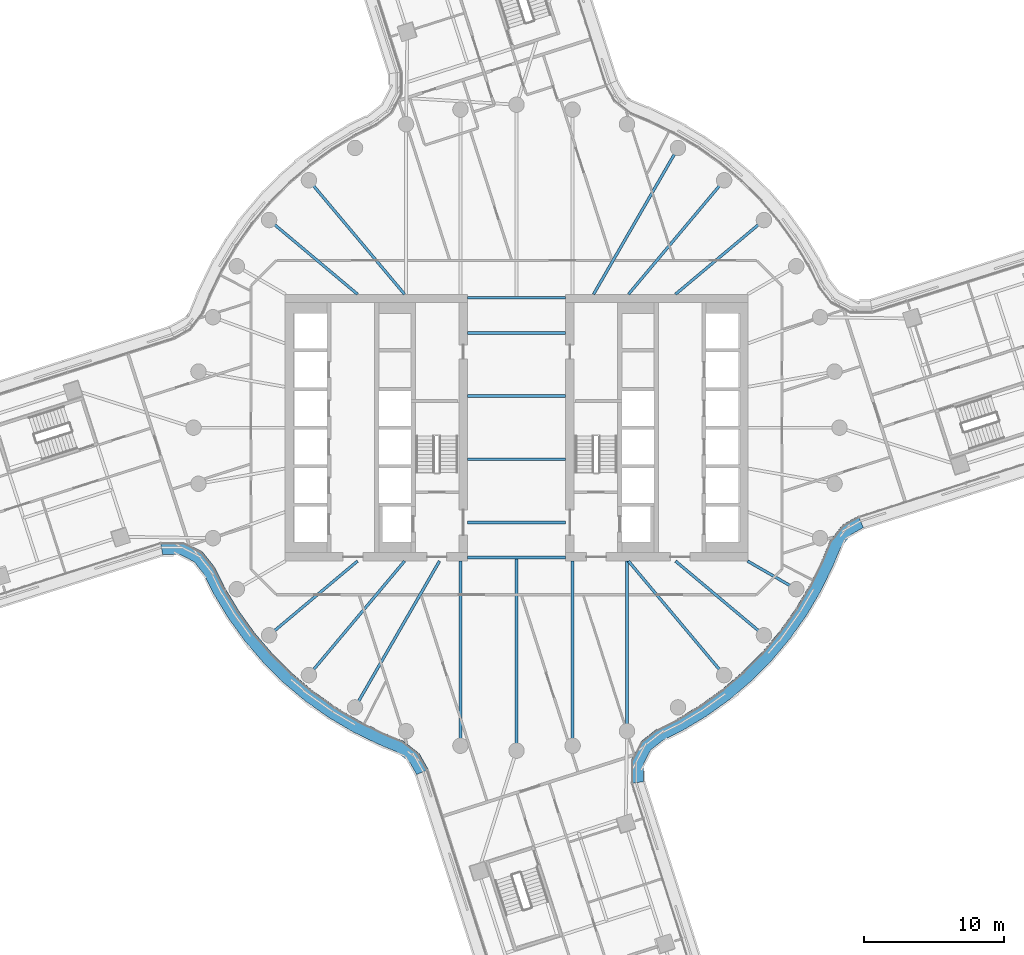
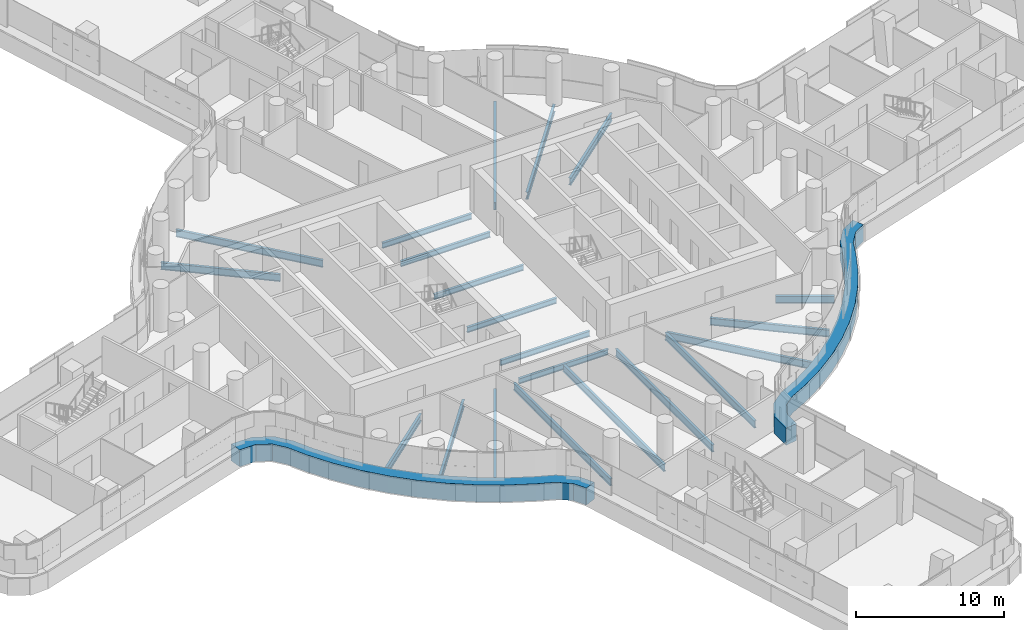
# One storey, part 8 of 30: 21 beams, 2 members, 2 elements without a shape of their own.
"""IFC4 building model written with IfcOpenShell, lengths in metres."""

from ifc_helpers import new_model, si_unit, direction, frame, origin, origin_2d, place, context, subcontext, project, spatial, polyline, i_section, outline, extrude, material, layer, layer_set, material_profile, profile_set, type_object, element, aggregate, save


model = new_model("IFC4")

# Units and contexts
model_context = context("Model", 3, precision=1e-05, world=origin(), true_north=direction((0.0, 1.0)))
body_context = subcontext(model_context, "Body", "Model", "MODEL_VIEW")
ifc_project = project(units=[si_unit("LENGTHUNIT", "METRE"), si_unit("AREAUNIT", "SQUARE_METRE"), si_unit("VOLUMEUNIT", "CUBIC_METRE"), si_unit("PLANEANGLEUNIT", "RADIAN"), si_unit("MASSUNIT", "GRAM", prefix="KILO")], contexts=[model_context])

# Site, building, storey
site_placement = place(None, origin())
site = spatial("IfcSite", under=ifc_project, at=site_placement, CompositionType="ELEMENT")
building_placement = place(site_placement, origin())
building = spatial("IfcBuilding", under=site, at=building_placement, Name="Tamarind Cross Interchange Tower", CompositionType="ELEMENT")
storey_placement = place(building_placement, frame((0.0, 0.0, 98.5)))
storey = spatial("IfcBuildingStorey", under=building, at=storey_placement, Name="L23", CompositionType="ELEMENT", Elevation=98.5)

# Beams
ifc_material_1 = material(Name="Steel Q355B", Category="steel")
ifc_material_profile_1 = material_profile(ifc_material_1, i_section(OverallWidth=0.198974609375, OverallDepth=0.446044921875, WebThickness=0.008056640625, FlangeThickness=0.011962890625, FilletRadius=0.012939453125, at=origin_2d()), Name="HN 446x199x8x12")
ifc_profile_set_1 = profile_set([ifc_material_profile_1], Name="Steel Q355B")
beam_type_1 = type_object("IfcBeamType", Name="Composite beam HN 446x199x8x12 Q355B", PredefinedType="BEAM", material=ifc_profile_set_1)
for number, where, z_axis, x_axis, name in (
    (1, (-3.5, -2.25, -0.363037109375), (1.0, 0.0, 0.0), (0.0, 1.0, 0.0), "Beam G-2.25"),
    (2, (-3.5, -6.75, -0.363037109375), (1.0, 0.0, 0.0), (0.0, 1.0, 0.0), "Beam G-6.75"),
    (3, (-3.5, -9.25, -0.363037109375), (1.0, 0.0, 0.0), (0.0, 1.0, 0.0), "Beam G-9.25"),
    (4, (-3.5, 2.25, -0.363037109375), (1.0, 0.0, 0.0), (0.0, 1.0, 0.0), "Beam G2.25"),
    (5, (-3.5, 6.75, -0.363037109375), (1.0, 0.0, 0.0), (0.0, 1.0, 0.0), "Beam G6.75"),
    (6, (-3.5, 9.25, -0.363037109375), (1.0, 0.0, 0.0), (0.0, 1.0, 0.0), "Beam G9.25"),
):
    element("IfcBeam", number, at=place(storey_placement, frame(where, z_axis=z_axis, x_axis=x_axis)), inside=storey, type_object=beam_type_1, Name=name, PredefinedType="BEAM", context=body_context, shape_type="SweptSolid", body=[
        extrude(i_section(OverallWidth=0.198974609375, OverallDepth=0.446044921875, WebThickness=0.008056640625, FlangeThickness=0.011962890625, FilletRadius=0.012939453125, at=origin_2d()), origin(), (0.0, 0.0, 1.0), 7.0),
    ])
ifc_material_profile_2 = material_profile(ifc_material_1, i_section(OverallWidth=0.198974609375, OverallDepth=0.595947265625, WebThickness=0.010009765625, FlangeThickness=0.014892578125, FilletRadius=0.012939453125, at=origin_2d()), Name="HN 596x199x10x15")
ifc_profile_set_2 = profile_set([ifc_material_profile_2], Name="Steel Q355B")
beam_type_2 = type_object("IfcBeamType", Name="Composite beam HN 596x199x10x15 Q355B", PredefinedType="BEAM", material=ifc_profile_set_2)
beam_1_placement = place(storey_placement, frame((17.619140625, 14.7841796875, -0.43798828125), z_axis=(-0.766040580814, -0.642792212574, 0.0), x_axis=(0.642792212574, -0.766040580814, 0.0)))
element("IfcBeam", 7, at=beam_1_placement, inside=storey, type_object=beam_type_2, Name="Beam HH04", PredefinedType="BEAM", context=body_context, shape_type="SweptSolid", body=[
    extrude(i_section(OverallWidth=0.198974609375, OverallDepth=0.595947265625, WebThickness=0.010009765625, FlangeThickness=0.014892578125, FilletRadius=0.012939453125, at=origin_2d()), origin(), (0.0, 0.0, 1.0), 8.220703125),
])
beam_2_placement = place(storey_placement, frame((14.7841796875, 17.619140625, -0.43798828125), z_axis=(-0.642786293979, -0.766045547127, 0.0), x_axis=(0.766045547127, -0.642786293979, 0.0)))
element("IfcBeam", 8, at=beam_2_placement, inside=storey, type_object=beam_type_2, Name="Beam HH05", PredefinedType="BEAM", context=body_context, shape_type="SweptSolid", body=[
    extrude(i_section(OverallWidth=0.198974609375, OverallDepth=0.595947265625, WebThickness=0.010009765625, FlangeThickness=0.014892578125, FilletRadius=0.012939453125, at=origin_2d()), origin(), (0.0, 0.0, 1.0), 10.598876953125),
])
beam_3_placement = place(storey_placement, frame((11.5, 19.918701171875, -0.43798828125), z_axis=(-0.499993565836, -0.866029118519, 0.0), x_axis=(0.866029118519, -0.499993565836, 0.0)))
element("IfcBeam", 9, at=beam_3_placement, inside=storey, type_object=beam_type_2, Name="Beam HH06", PredefinedType="BEAM", context=body_context, shape_type="SweptSolid", body=[
    extrude(i_section(OverallWidth=0.198974609375, OverallDepth=0.595947265625, WebThickness=0.010009765625, FlangeThickness=0.014892578125, FilletRadius=0.012939453125, at=origin_2d()), origin(), (0.0, 0.0, 1.0), 12.030517578125),
])
beam_4_placement = place(storey_placement, frame((-14.7841796875, 17.619140625, -0.43798828125), z_axis=(0.642786293979, -0.766045547127, 0.0), x_axis=(0.766045547127, 0.642786293979, 0.0)))
element("IfcBeam", 10, at=beam_4_placement, inside=storey, type_object=beam_type_2, Name="Beam HH13", PredefinedType="BEAM", context=body_context, shape_type="SweptSolid", body=[
    extrude(i_section(OverallWidth=0.198974609375, OverallDepth=0.595947265625, WebThickness=0.010009765625, FlangeThickness=0.014892578125, FilletRadius=0.012939453125, at=origin_2d()), origin(), (0.0, 0.0, 1.0), 10.598876953125),
])
for number, where, z_axis, x_axis, name in (
    (11, (-17.619140625, 14.7841796875, -0.43798828125), (0.766040580814, -0.642792212574, 0.0), (0.642792212574, 0.766040580814, 0.0), "Beam HH14"),
    (12, (-17.619140625, -14.7841796875, -0.43798828125), (0.766040580814, 0.642792212574, 0.0), (-0.642792212574, 0.766040580814, 0.0), "Beam HH22"),
):
    element("IfcBeam", number, at=place(storey_placement, frame(where, z_axis=z_axis, x_axis=x_axis)), inside=storey, type_object=beam_type_2, Name=name, PredefinedType="BEAM", context=body_context, shape_type="SweptSolid", body=[
        extrude(i_section(OverallWidth=0.198974609375, OverallDepth=0.595947265625, WebThickness=0.010009765625, FlangeThickness=0.014892578125, FilletRadius=0.012939453125, at=origin_2d()), origin(), (0.0, 0.0, 1.0), 8.220703125),
    ])
beam_5_placement = place(storey_placement, frame((-14.7841796875, -17.619140625, -0.43798828125), z_axis=(0.642786293979, 0.766045547127, 0.0), x_axis=(-0.766045547127, 0.642786293979, 0.0)))
element("IfcBeam", 13, at=beam_5_placement, inside=storey, type_object=beam_type_2, Name="Beam HH23", PredefinedType="BEAM", context=body_context, shape_type="SweptSolid", body=[
    extrude(i_section(OverallWidth=0.198974609375, OverallDepth=0.595947265625, WebThickness=0.010009765625, FlangeThickness=0.014892578125, FilletRadius=0.012939453125, at=origin_2d()), origin(), (0.0, 0.0, 1.0), 10.598876953125),
])
beam_6_placement = place(storey_placement, frame((-11.5, -19.918701171875, -0.43798828125), z_axis=(0.499993565836, 0.866029118519, 0.0), x_axis=(-0.866029118519, 0.499993565836, 0.0)))
element("IfcBeam", 14, at=beam_6_placement, inside=storey, type_object=beam_type_2, Name="Beam HH24", PredefinedType="BEAM", context=body_context, shape_type="SweptSolid", body=[
    extrude(i_section(OverallWidth=0.198974609375, OverallDepth=0.595947265625, WebThickness=0.010009765625, FlangeThickness=0.014892578125, FilletRadius=0.012939453125, at=origin_2d()), origin(), (0.0, 0.0, 1.0), 12.030517578125),
])
beam_7_placement = place(storey_placement, frame((-3.993896484375, -22.650634765625, -0.43798828125), z_axis=(0.0, 1.0, 0.0), x_axis=(-1.0, 0.0, 0.0)))
element("IfcBeam", 15, at=beam_7_placement, inside=storey, type_object=beam_type_2, Name="Beam HH26", PredefinedType="BEAM", context=body_context, shape_type="SweptSolid", body=[
    extrude(i_section(OverallWidth=0.198974609375, OverallDepth=0.595947265625, WebThickness=0.010009765625, FlangeThickness=0.014892578125, FilletRadius=0.012939453125, at=origin_2d()), origin(), (0.0, 0.0, 1.0), 13.150634765625),
])
beam_8_placement = place(storey_placement, frame((0.0, -23.0, -0.43798828125), z_axis=(0.0, 1.0, 0.0), x_axis=(-1.0, 0.0, 0.0)))
element("IfcBeam", 16, at=beam_8_placement, inside=storey, type_object=beam_type_2, Name="Beam HH27", PredefinedType="BEAM", context=body_context, shape_type="SweptSolid", body=[
    extrude(i_section(OverallWidth=0.198974609375, OverallDepth=0.595947265625, WebThickness=0.010009765625, FlangeThickness=0.014892578125, FilletRadius=0.012939453125, at=origin_2d()), origin(), (0.0, 0.0, 1.0), 13.75),
])
beam_9_placement = place(storey_placement, frame((3.993896484375, -22.650634765625, -0.43798828125), z_axis=(0.0, 1.0, 0.0), x_axis=(-1.0, 0.0, 0.0)))
element("IfcBeam", 17, at=beam_9_placement, inside=storey, type_object=beam_type_2, Name="Beam HH28", PredefinedType="BEAM", context=body_context, shape_type="SweptSolid", body=[
    extrude(i_section(OverallWidth=0.198974609375, OverallDepth=0.595947265625, WebThickness=0.010009765625, FlangeThickness=0.014892578125, FilletRadius=0.012939453125, at=origin_2d()), origin(), (0.0, 0.0, 1.0), 13.150634765625),
])
beam_10_placement = place(storey_placement, frame((7.866455078125, -21.613037109375, -0.43798828125), z_axis=(0.0, 1.0, 0.0), x_axis=(-1.0, 0.0, 0.0)))
element("IfcBeam", 18, at=beam_10_placement, inside=storey, type_object=beam_type_2, Name="Beam HH29", PredefinedType="BEAM", context=body_context, shape_type="SweptSolid", body=[
    extrude(i_section(OverallWidth=0.198974609375, OverallDepth=0.595947265625, WebThickness=0.010009765625, FlangeThickness=0.014892578125, FilletRadius=0.012939453125, at=origin_2d()), origin(), (0.0, 0.0, 1.0), 12.113037109375),
])
beam_11_placement = place(storey_placement, frame((14.7841796875, -17.619140625, -0.43798828125), z_axis=(-0.642786293979, 0.766045547127, 0.0), x_axis=(-0.766045547127, -0.642786293979, 0.0)))
element("IfcBeam", 19, at=beam_11_placement, inside=storey, type_object=beam_type_2, Name="Beam HH31", PredefinedType="BEAM", context=body_context, shape_type="SweptSolid", body=[
    extrude(i_section(OverallWidth=0.198974609375, OverallDepth=0.595947265625, WebThickness=0.010009765625, FlangeThickness=0.014892578125, FilletRadius=0.012939453125, at=origin_2d()), origin(), (0.0, 0.0, 1.0), 10.598876953125),
])
beam_12_placement = place(storey_placement, frame((17.619140625, -14.7841796875, -0.43798828125), z_axis=(-0.766040580814, 0.642792212574, 0.0), x_axis=(-0.642792212574, -0.766040580814, 0.0)))
element("IfcBeam", 20, at=beam_12_placement, inside=storey, type_object=beam_type_2, Name="Beam HH32", PredefinedType="BEAM", context=body_context, shape_type="SweptSolid", body=[
    extrude(i_section(OverallWidth=0.198974609375, OverallDepth=0.595947265625, WebThickness=0.010009765625, FlangeThickness=0.014892578125, FilletRadius=0.012939453125, at=origin_2d()), origin(), (0.0, 0.0, 1.0), 8.220703125),
])
beam_13_placement = place(storey_placement, frame((19.918701171875, -11.5, -0.43798828125), z_axis=(-0.866026010844, 0.49999894854, 0.0), x_axis=(-0.49999894854, -0.866026010844, 0.0)))
element("IfcBeam", 21, at=beam_13_placement, inside=storey, type_object=beam_type_2, Name="Beam HH33", PredefinedType="BEAM", context=body_context, shape_type="SweptSolid", body=[
    extrude(i_section(OverallWidth=0.198974609375, OverallDepth=0.595947265625, WebThickness=0.010009765625, FlangeThickness=0.014892578125, FilletRadius=0.012939453125, at=origin_2d()), origin(), (0.0, 0.0, 1.0), 4.0),
])

# Curtain wall, member
ifc_material_2 = material(Name="Aluminium 6063-T6", Category="aluminium")
ifc_layer = layer(ifc_material_2, 0.159912109375)
ifc_layer_set = layer_set([ifc_layer], Name="Aluminium 6063-T6")
curtain_wall_type = type_object("IfcCurtainWallType", Name="Office curtain wall, 9.0 m bays", PredefinedType="NOTDEFINED", material=ifc_layer_set)
curtain_wall_1_placement = place(storey_placement, origin())
curtain_wall_1 = element("IfcCurtainWall", 22, at=curtain_wall_1_placement, inside=storey, type_object=curtain_wall_type, Name="CWS-L23-10", PredefinedType="NOTDEFINED")
ifc_material_3 = material(Name="Aluminium and insulated spandrel panel", Category="aluminium")
member_type = type_object("IfcMemberType", Name="Floor-edge blade transom", PredefinedType="USERDEFINED", material=ifc_material_3)
member_1_placement = place(storey_placement, origin())
member_1 = element("IfcMember", 23, at=member_1_placement, type_object=member_type, Name="CWT-L23-10", ObjectType="TRANSOM", PredefinedType="USERDEFINED", context=body_context, shape_type="SweptSolid", body=[
    extrude(outline(polyline([(-25.348388671875, -8.137451171875), (-23.718017578125, -8.1376953125), (-22.364013671875, -8.845458984375), (-21.503173828125, -9.9306640625), (-20.791015625, -11.367431640625), (-19.78125, -13.045654296875), (-18.636474609375, -14.634521484375), (-17.3642578125, -16.12353515625), (-15.973388671875, -17.50244140625), (-14.4736328125, -18.76171875), (-12.874755859375, -19.892822265625), (-11.188232421875, -20.88818359375), (-9.421875, -21.7421875), (-8.11767578125, -22.278076171875), (-6.9208984375, -23.21044921875), (-6.284912109375, -24.342529296875), (-7.1142578125, -24.7041015625), (-7.616943359375, -23.80908203125), (-8.57373046875, -23.063720703125), (-9.789306640625, -22.564208984375), (-11.613525390625, -21.68212890625), (-13.3642578125, -20.64892578125), (-15.023681640625, -19.474853515625), (-16.580810546875, -18.167724609375), (-18.0244140625, -16.736572265625), (-19.344970703125, -15.19091796875), (-20.533203125, -13.54150390625), (-21.581298828125, -11.7998046875), (-22.267333984375, -10.41552734375), (-22.9501953125, -9.554443359375), (-23.939208984375, -9.03759765625), (-25.20849609375, -9.037353515625), (-25.348388671875, -8.137451171875)])), origin(), (0.0, 0.0, 1.0), 1.39990234375),
])
aggregate(curtain_wall_1, [member_1])

curtain_wall_2_placement = place(storey_placement, origin())
curtain_wall_2 = element("IfcCurtainWall", 24, at=curtain_wall_2_placement, inside=storey, type_object=curtain_wall_type, Name="CWS-L23-14", PredefinedType="NOTDEFINED")
member_2_placement = place(storey_placement, origin())
member_2 = element("IfcMember", 25, at=member_2_placement, type_object=member_type, Name="CWT-L23-14", ObjectType="TRANSOM", PredefinedType="USERDEFINED", context=body_context, shape_type="SweptSolid", body=[
    extrude(outline(polyline([(8.137451171875, -25.348388671875), (8.1376953125, -23.718017578125), (8.845458984375, -22.364013671875), (9.9306640625, -21.503173828125), (11.367431640625, -20.791015625), (13.045654296875, -19.78125), (14.634521484375, -18.636474609375), (16.12353515625, -17.3642578125), (17.50244140625, -15.973388671875), (18.76171875, -14.4736328125), (19.892822265625, -12.874755859375), (20.88818359375, -11.188232421875), (21.7421875, -9.421875), (22.278076171875, -8.11767578125), (23.21044921875, -6.9208984375), (24.342529296875, -6.284912109375), (24.7041015625, -7.1142578125), (23.80908203125, -7.616943359375), (23.063720703125, -8.57373046875), (22.564208984375, -9.789306640625), (21.68212890625, -11.613525390625), (20.64892578125, -13.3642578125), (19.474853515625, -15.023681640625), (18.167724609375, -16.580810546875), (16.736572265625, -18.0244140625), (15.19091796875, -19.344970703125), (13.54150390625, -20.533203125), (11.7998046875, -21.581298828125), (10.41552734375, -22.267333984375), (9.554443359375, -22.9501953125), (9.03759765625, -23.939208984375), (9.037353515625, -25.20849609375), (8.137451171875, -25.348388671875)])), origin(), (0.0, 0.0, 1.0), 1.39990234375),
])
aggregate(curtain_wall_2, [member_2])

save(model, "model.ifc")
